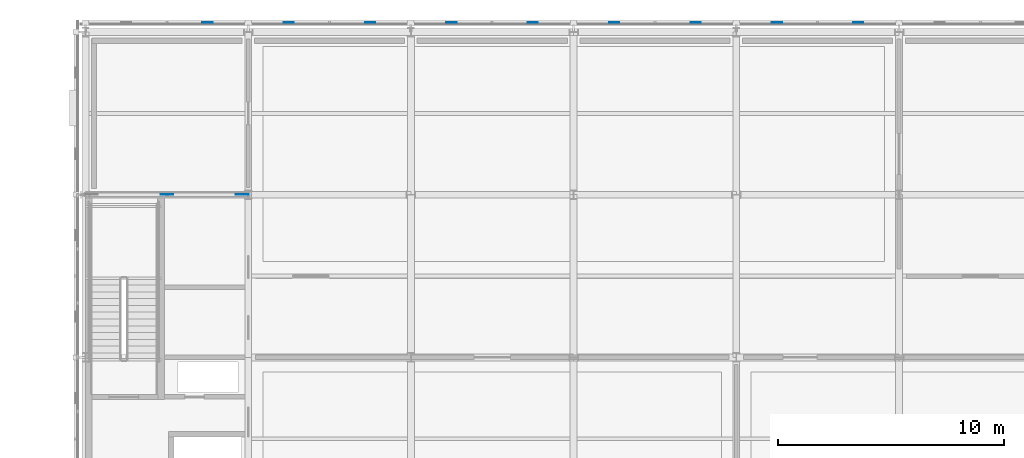
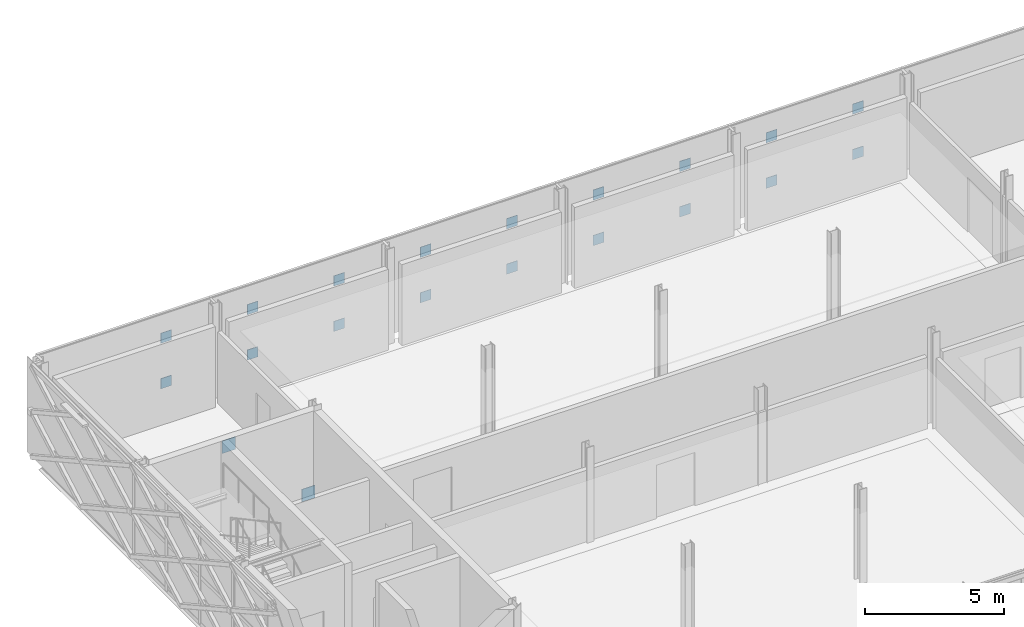
# One storey, part 95 of 126: 20 plates.
"""IFC4 building model written with IfcOpenShell, lengths in metres."""

import ifcopenshell
import ifcopenshell.guid

model = None  # the IFC model being written
_history = None  # IfcOwnerHistory: only IFC2X3 demands one
_inside = {}  # id of a spatial element -> (the spatial element, [elements in it])
_under = {}  # id of a project, library or spatial element -> (it, [spatial elements below it])
_declared = {}  # id of a project -> (the project, [libraries it declares])
_typed = {}  # id of a type object -> (the type object, [elements of that type])
_made_of = {}  # id of a material, layer set ... -> (it, [elements and type objects made of it])


def new_model(schema):
    """Start an empty IFC model of exactly this schema.

    Asked for "IFC4X3", IfcOpenShell would pick the latest addendum, in which some entities
    have other attributes; the version numbers below select the first issue.
    IFC2X3 requires an IfcOwnerHistory on every rooted entity: one is made here for all.
    """
    global model, _history
    if schema == "IFC4X3":
        model = ifcopenshell.file(schema_version=(4, 3, 0, 0))
    else:
        model = ifcopenshell.file(schema=schema)
    _inside.clear()
    _under.clear()
    _declared.clear()
    _typed.clear()
    _made_of.clear()
    _history = None
    if model.schema == "IFC2X3":
        org = make("IfcOrganization", Name="unknown")
        user = make(
            "IfcPersonAndOrganization",
            ThePerson=make("IfcPerson", FamilyName="unknown"),
            TheOrganization=org,
        )
        app = make(
            "IfcApplication",
            ApplicationDeveloper=org,
            Version="unknown",
            ApplicationFullName="unknown",
            ApplicationIdentifier="unknown",
        )
        _history = make(
            "IfcOwnerHistory",
            OwningUser=user,
            OwningApplication=app,
            ChangeAction="ADDED",
            CreationDate=0,
        )
    return model


def make(cls, **values):
    """One entity of the class cls with the attributes given. An attribute that is None is left unset."""
    return model.create_entity(
        cls, **{name: value for name, value in values.items() if value is not None}
    )


def rooted(cls, **values):
    """An entity with a GlobalId (a new one), such as an element, a storey or a relation."""
    return make(cls, GlobalId=ifcopenshell.guid.new(), OwnerHistory=_history, **values)


def si_unit(unit_type, name, prefix=None):
    """IfcSIUnit, for example si_unit("LENGTHUNIT", "METRE", prefix="MILLI")."""
    return make("IfcSIUnit", UnitType=unit_type, Prefix=prefix, Name=name)


def assignment(units):
    """IfcUnitAssignment: the units of a project."""
    return None if units is None else make("IfcUnitAssignment", Units=units)


def point(xyz):
    """IfcCartesianPoint."""
    return None if xyz is None else make("IfcCartesianPoint", Coordinates=xyz)


def direction(xyz):
    """IfcDirection."""
    return None if xyz is None else make("IfcDirection", DirectionRatios=xyz)


def frame(location, z_axis=None, x_axis=None):
    """IfcAxis2Placement3D, a coordinate frame: its origin and axes. An axis left out is left unset."""
    return make(
        "IfcAxis2Placement3D",
        Location=point(location),
        Axis=direction(z_axis),
        RefDirection=direction(x_axis),
    )


def frame_2d(location, x_axis=None):
    """IfcAxis2Placement2D, a coordinate frame in the plane: its origin and x axis."""
    return make(
        "IfcAxis2Placement2D", Location=point(location), RefDirection=direction(x_axis)
    )


def origin():
    """The frame at (0, 0, 0) with its axes left unset."""
    return frame((0.0, 0.0, 0.0))


def origin_2d():
    """The frame at (0, 0) in the plane with its x axis left unset."""
    return frame_2d((0.0, 0.0))


def place(relative_to, where):
    """IfcLocalPlacement: puts the frame where relative to a parent placement (None: the world)."""
    return make(
        "IfcLocalPlacement", PlacementRelTo=relative_to, RelativePlacement=where
    )


def context(
    kind, dimensions, precision=None, world=None, true_north=None, identifier=None
):
    """IfcGeometricRepresentationContext, for example the 3D "Model" context."""
    return make(
        "IfcGeometricRepresentationContext",
        ContextIdentifier=identifier,
        ContextType=kind,
        CoordinateSpaceDimension=dimensions,
        Precision=precision,
        WorldCoordinateSystem=world,
        TrueNorth=true_north,
    )


def subcontext(parent, identifier, kind, view, scale=None):
    """IfcGeometricRepresentationSubContext, for example "Body" below "Model"."""
    return make(
        "IfcGeometricRepresentationSubContext",
        ContextIdentifier=identifier,
        ContextType=kind,
        ParentContext=parent,
        TargetScale=scale,
        TargetView=view,
    )


def project(units=None, contexts=None):
    """IfcProject with its units and contexts."""
    return rooted(
        "IfcProject",
        Name="project",
        RepresentationContexts=contexts,
        UnitsInContext=assignment(units),
    )


def spatial(cls, under=None, at=None, **own):
    """A site, building, storey or space (cls), placed at a placement, below another one or the project."""
    s = rooted(cls, ObjectPlacement=at, **own)
    if under is not None:
        _under.setdefault(under.id(), (under, []))[1].append(s)
    return s


def profile(cls, at=None, kind="AREA", **sizes):
    """A parametric profile (cls). Its sizes go by their IFC names, for example OverallWidth=200.0."""
    return make(cls, ProfileType=kind, Position=at, **sizes)


def rectangle(**sizes):
    """IfcRectangleProfileDef."""
    return profile("IfcRectangleProfileDef", **sizes)


def extrude(swept, where, along, depth):
    """IfcExtrudedAreaSolid: the profile swept, set in the frame where, extruded along a direction by depth."""
    return make(
        "IfcExtrudedAreaSolid",
        SweptArea=swept,
        Position=where,
        ExtrudedDirection=direction(along),
        Depth=depth,
    )


def shape(context_of_items, identifier, shape_type, items):
    """IfcShapeRepresentation: the items that make up one representation, for example the "Body"."""
    return make(
        "IfcShapeRepresentation",
        ContextOfItems=context_of_items,
        RepresentationIdentifier=identifier,
        RepresentationType=shape_type,
        Items=items,
    )


def material(Name=None, Category=None):
    """IfcMaterial."""
    return make("IfcMaterial", Name=Name, Category=Category)


def layer(
    of_material, thickness, ventilated=None, Name=None, Category=None, Priority=None
):
    """IfcMaterialLayer: one layer of a wall or slab, of a material (None: an air gap)."""
    return make(
        "IfcMaterialLayer",
        Material=of_material,
        LayerThickness=thickness,
        IsVentilated=ventilated,
        Name=Name,
        Category=Category,
        Priority=Priority,
    )


def layer_set(layers, Name=None):
    """IfcMaterialLayerSet."""
    return make("IfcMaterialLayerSet", MaterialLayers=layers, LayerSetName=Name)


def made_of(thing, what):
    """Note that an element or type object is made of a material, layer set ...; save() writes the relation."""
    if what is not None:
        _made_of.setdefault(what.id(), (what, []))[1].append(thing)
    return thing


def type_object(cls, material=None, **own):
    """A type object (cls), such as IfcWallType, which elements share."""
    return made_of(rooted(cls, **own), material)


def element(
    cls,
    number,
    at=None,
    inside=None,
    cuts=None,
    type_object=None,
    material=None,
    context=None,
    identifier="Body",
    shape_type=None,
    held_by="IfcProductDefinitionShape",
    body=None,
    shapes=None,
    **own,
):
    """One element of the class cls, such as IfcWall. Its Tag is "e" and its number.

    at: its placement. inside: the storey or other place that contains it. cuts: it is an
    opening in that element (IfcRelVoidsElement). A single representation is given by context,
    identifier, shape_type and body (its items); several are given by shapes. held_by: the class
    of the entity that holds the representations. save() writes the other relations.
    """
    e = rooted(cls, Tag="e%d" % number, ObjectPlacement=at, **own)
    if body is not None:
        shapes = [shape(context, identifier, shape_type, body)]
    if shapes is not None:
        e.Representation = make(held_by, Representations=shapes)
    if inside is not None:
        _inside.setdefault(inside.id(), (inside, []))[1].append(e)
    if cuts is not None:
        rooted(
            "IfcRelVoidsElement", RelatingBuildingElement=cuts, RelatedOpeningElement=e
        )
    if type_object is not None:
        _typed.setdefault(type_object.id(), (type_object, []))[1].append(e)
    return made_of(e, material)


def aggregate(whole, parts):
    """IfcRelAggregates: a whole, such as a stair, and the parts it consists of."""
    return rooted("IfcRelAggregates", RelatingObject=whole, RelatedObjects=parts)


def save(model, path):
    """Write the relations noted so far, then the file.

    IfcRelAggregates (storeys below a building ...), IfcRelContainedInSpatialStructure (elements
    in a storey), IfcRelDefinesByType, IfcRelAssociatesMaterial and IfcRelDeclares: one each for
    every whole, place, type object, material and project.
    """
    for whole, parts in _under.values():
        aggregate(whole, parts)
    for where, things in _inside.values():
        rooted(
            "IfcRelContainedInSpatialStructure",
            RelatedElements=things,
            RelatingStructure=where,
        )
    for kind, things in _typed.values():
        rooted("IfcRelDefinesByType", RelatedObjects=things, RelatingType=kind)
    for what, things in _made_of.values():
        rooted("IfcRelAssociatesMaterial", RelatedObjects=things, RelatingMaterial=what)
    for by, libraries in _declared.values():
        rooted("IfcRelDeclares", RelatingContext=by, RelatedDefinitions=libraries)
    model.write(path)


model = new_model("IFC4")

# Units and contexts
model_context = context("Model", 3, precision=1e-05, world=origin(), true_north=direction((0.0, 1.0)))
body_context = subcontext(model_context, "Body", "Model", "MODEL_VIEW")
ifc_project = project(units=[si_unit("LENGTHUNIT", "METRE"), si_unit("AREAUNIT", "SQUARE_METRE"), si_unit("VOLUMEUNIT", "CUBIC_METRE"), si_unit("PLANEANGLEUNIT", "RADIAN"), si_unit("MASSUNIT", "GRAM", prefix="KILO")], contexts=[model_context])

# Site, building, storey
site_placement = place(None, origin())
site = spatial("IfcSite", under=ifc_project, at=site_placement, CompositionType="ELEMENT")
building_placement = place(site_placement, origin())
building = spatial("IfcBuilding", under=site, at=building_placement, Name="Zlatovets Crest Museum", CompositionType="ELEMENT")
storey_placement = place(building_placement, frame((0.0, 0.0, 8.699951171875)))
storey = spatial("IfcBuildingStorey", under=building, at=storey_placement, Name="L02", CompositionType="ELEMENT", Elevation=8.699951171875)

# Plates
ifc_material = material(Name="Structural steel S355J2", Category="steel")
ifc_layer_1 = layer(ifc_material, 0.02490234375)
ifc_layer_set_1 = layer_set([ifc_layer_1], Name="Structural steel S355J2")
plate_type_1 = type_object("IfcPlateType", Name="Gusset_GP-01", PredefinedType="USERDEFINED", material=ifc_layer_set_1)
for number, where, z_axis, x_axis, name in (
    (1, (64.52001953125, 108.0, 0.0048828125), (0.0, 0.0, 1.0), (1.0, 0.0, 0.0), "V1 L02 Brace End Gusset Plate GP-01"),
    (2, (61.199951171875, 108.0, 3.294921875), (0.0, 0.0, 1.0), (1.0, 0.0, 0.0), "V1 L02 Brace End Gusset Plate GP-01"),
):
    element("IfcPlate", number, at=place(storey_placement, frame(where, z_axis=z_axis, x_axis=x_axis)), inside=storey, type_object=plate_type_1, Name=name, ObjectType="GUSSET", PredefinedType="USERDEFINED", context=body_context, shape_type="SweptSolid", body=[
        extrude(rectangle(XDim=0.550048828125, YDim=0.02490234375, at=origin_2d()), origin(), (0.0, 0.0, 1.0), 0.550048828125),
    ])
ifc_layer_2 = layer(ifc_material, 0.02001953125)
ifc_layer_set_2 = layer_set([ifc_layer_2], Name="Structural steel S355J2")
plate_type_2 = type_object("IfcPlateType", Name="Gusset_GP-04", PredefinedType="USERDEFINED", material=ifc_layer_set_2)
for number, where, z_axis, x_axis, name in (
    (3, (91.800048828125, 115.6201171875, 0.875), (0.0, 0.0, 1.0), (1.0, 0.0, 0.0), "X-Brace Crossing Node Gusset Plate GP-04"),
    (4, (88.199951171875, 115.6201171875, 0.875), (0.0, 0.0, 1.0), (1.0, 0.0, 0.0), "X-Brace Crossing Node Gusset Plate GP-04"),
    (5, (91.800048828125, 115.6201171875, 2.875), (0.0, 0.0, 1.0), (1.0, 0.0, 0.0), "X-Brace Crossing Node Gusset Plate GP-04"),
    (6, (88.199951171875, 115.6201171875, 2.875), (0.0, 0.0, 1.0), (1.0, 0.0, 0.0), "X-Brace Crossing Node Gusset Plate GP-04"),
    (7, (84.60009765625, 115.6201171875, 0.875), (0.0, 0.0, 1.0), (1.0, 0.0, 0.0), "X-Brace Crossing Node Gusset Plate GP-04"),
    (8, (81.0, 115.6201171875, 0.875), (0.0, 0.0, 1.0), (1.0, 0.0, 0.0), "X-Brace Crossing Node Gusset Plate GP-04"),
    (9, (84.60009765625, 115.6201171875, 2.875), (0.0, 0.0, 1.0), (1.0, 0.0, 0.0), "X-Brace Crossing Node Gusset Plate GP-04"),
    (10, (81.0, 115.6201171875, 2.875), (0.0, 0.0, 1.0), (1.0, 0.0, 0.0), "X-Brace Crossing Node Gusset Plate GP-04"),
    (11, (77.39990234375, 115.6201171875, 0.875), (0.0, 0.0, 1.0), (1.0, 0.0, 0.0), "X-Brace Crossing Node Gusset Plate GP-04"),
    (12, (73.800048828125, 115.6201171875, 0.875), (0.0, 0.0, 1.0), (1.0, 0.0, 0.0), "X-Brace Crossing Node Gusset Plate GP-04"),
    (13, (77.39990234375, 115.6201171875, 2.875), (0.0, 0.0, 1.0), (1.0, 0.0, 0.0), "X-Brace Crossing Node Gusset Plate GP-04"),
    (14, (73.800048828125, 115.6201171875, 2.875), (0.0, 0.0, 1.0), (1.0, 0.0, 0.0), "X-Brace Crossing Node Gusset Plate GP-04"),
    (15, (70.199951171875, 115.6201171875, 0.875), (0.0, 0.0, 1.0), (1.0, 0.0, 0.0), "X-Brace Crossing Node Gusset Plate GP-04"),
    (16, (66.60009765625, 115.6201171875, 0.875), (0.0, 0.0, 1.0), (1.0, 0.0, 0.0), "X-Brace Crossing Node Gusset Plate GP-04"),
    (17, (70.199951171875, 115.6201171875, 2.875), (0.0, 0.0, 1.0), (1.0, 0.0, 0.0), "X-Brace Crossing Node Gusset Plate GP-04"),
    (18, (66.60009765625, 115.6201171875, 2.875), (0.0, 0.0, 1.0), (1.0, 0.0, 0.0), "X-Brace Crossing Node Gusset Plate GP-04"),
    (19, (63.0, 115.6201171875, 0.875), (0.0, 0.0, 1.0), (1.0, 0.0, 0.0), "X-Brace Crossing Node Gusset Plate GP-04"),
    (20, (63.0, 115.6201171875, 2.875), (0.0, 0.0, 1.0), (1.0, 0.0, 0.0), "X-Brace Crossing Node Gusset Plate GP-04"),
):
    element("IfcPlate", number, at=place(storey_placement, frame(where, z_axis=z_axis, x_axis=x_axis)), inside=storey, type_object=plate_type_2, Name=name, ObjectType="GUSSET", PredefinedType="USERDEFINED", context=body_context, shape_type="SweptSolid", body=[
        extrude(rectangle(XDim=0.449951171875, YDim=0.02001953125, at=origin_2d()), origin(), (0.0, 0.0, 1.0), 0.449951171875),
    ])

save(model, "model.ifc")
